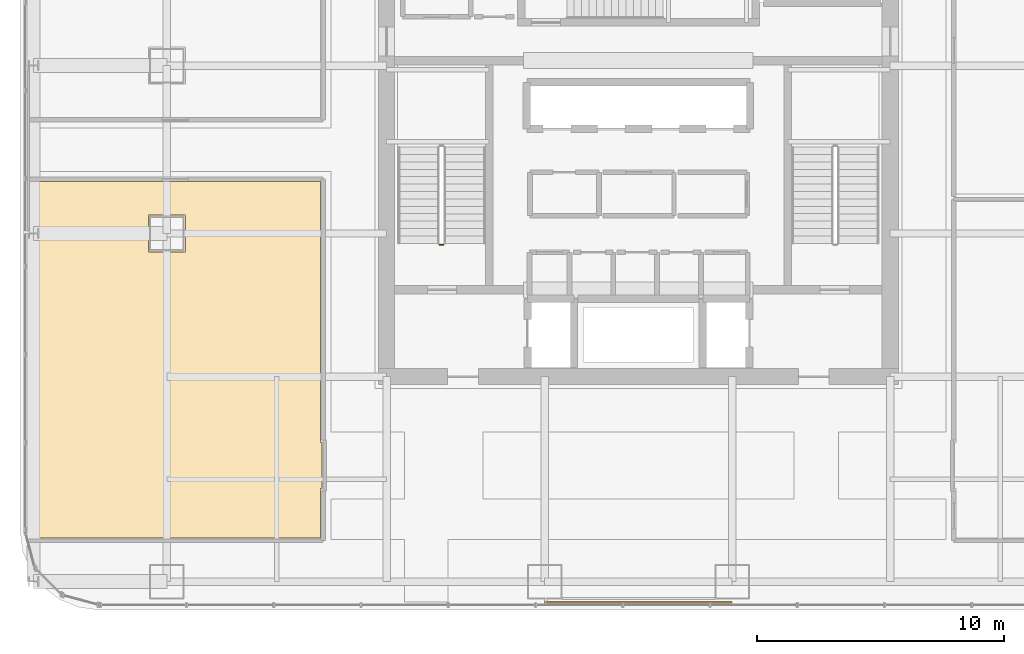
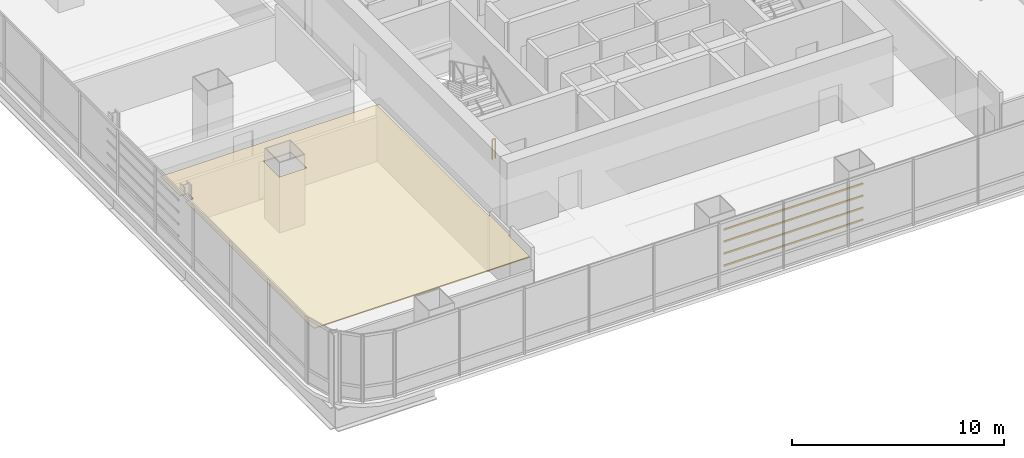
# One storey, part 34 of 38: 4 shading devices, 1 covering, 1 railing.
"""IFC4 building model written with IfcOpenShell, lengths in metres."""

from ifc_helpers import new_model, si_unit, direction, frame, origin, origin_2d, place, context, subcontext, project, spatial, polyline, hollow_rectangle, circle, outline, extrude, material, layer, layer_set, material_profile, profile_set, type_object, element, save


model = new_model("IFC4")

# Units and contexts
model_context = context("Model", 3, precision=1e-05, world=origin(), true_north=direction((0.0, 1.0)))
body_context = subcontext(model_context, "Body", "Model", "MODEL_VIEW")
ifc_project = project(units=[si_unit("LENGTHUNIT", "METRE"), si_unit("AREAUNIT", "SQUARE_METRE"), si_unit("VOLUMEUNIT", "CUBIC_METRE"), si_unit("PLANEANGLEUNIT", "RADIAN"), si_unit("MASSUNIT", "GRAM", prefix="KILO")], contexts=[model_context])

# Site, building, storey
site_placement = place(None, origin())
site = spatial("IfcSite", under=ifc_project, at=site_placement, CompositionType="ELEMENT")
building_placement = place(site_placement, origin())
building = spatial("IfcBuilding", under=site, at=building_placement, Name="Punatoya Terracotta Tower", CompositionType="ELEMENT")
storey_placement = place(building_placement, frame((0.0, 0.0, 147.89990234375)))
storey = spatial("IfcBuildingStorey", under=building, at=storey_placement, Name="L34", CompositionType="ELEMENT", Elevation=147.89990234375)

# Covering
ifc_material_1 = material(Name="Acoustic Mineral Fibre Ceiling")
ifc_layer = layer(ifc_material_1, 0.06005859375)
ifc_layer_set = layer_set([ifc_layer], Name="Acoustic Mineral Fibre Ceiling")
covering_type = type_object("IfcCoveringType", Name="COV-CEIL-60", PredefinedType="CEILING", material=ifc_layer_set)
covering_placement = place(storey_placement, frame((0.0, 0.0, 3.22021484375)))
element("IfcCovering", 1, at=covering_placement, inside=storey, type_object=covering_type, Name="L34 Cartography Reference Library Acoustic Ceiling", PredefinedType="CEILING", context=body_context, shape_type="SweptSolid", body=[
    extrude(outline(polyline([(-24.24560546875, -3.66259765625), (-24.669921875, -3.66259765625), (-24.669921875, -15.425048828125), (-24.628662109375, -15.739990234375), (-12.8701171875, -15.739990234375), (-12.8701171875, -13.72998046875), (-12.81005859375, -13.72998046875), (-12.81005859375, -11.8701171875), (-12.8701171875, -11.8701171875), (-12.8701171875, -1.300048828125), (-24.669921875, -1.300048828125), (-24.669921875, -3.137451171875), (-24.24560546875, -3.137451171875), (-24.24560546875, -3.66259765625)]), holes=[polyline([(-18.35009765625, -4.14990234375), (-19.85009765625, -4.14990234375), (-19.85009765625, -2.64990234375), (-18.35009765625, -2.64990234375), (-18.35009765625, -4.14990234375)])]), origin(), (0.0, 0.0, 1.0), 0.059814453125),
])

# Railing
ifc_material_2 = material(Name="Steel S355", Category="steel")
railing_type = type_object("IfcRailingType", Name="RLG-GRD-1150", PredefinedType="GUARDRAIL", material=ifc_material_2)
railing_placement = place(storey_placement, frame((-7.89990234375, -3.85009765625, 0.0)))
element("IfcRailing", 2, at=railing_placement, inside=storey, type_object=railing_type, Name="L34 ST-1 stair guard 4", PredefinedType="GUARDRAIL", context=body_context, shape_type="SweptSolid", body=[
    extrude(circle(Radius=0.02392578125, at=origin_2d()), frame((0.0, 0.0, 1.1259765625), z_axis=(-1.0, 0.0, 0.0), x_axis=(0.0, -1.0, 0.0)), (0.0, 0.0, 1.0), 0.150146484375),
    extrude(circle(Radius=0.02099609375, at=origin_2d()), origin(), (0.0, 0.0, 1.0), 1.101806640625),
    extrude(circle(Radius=0.02099609375, at=origin_2d()), frame((-0.150146484375, 0.0, 0.0)), (0.0, 0.0, 1.0), 1.101806640625),
])

# Shading devices
ifc_material_3 = material(Name="Architectural Fired Terracotta", Category="masonry")
ifc_material_profile = material_profile(ifc_material_3, hollow_rectangle(XDim=0.06005859375, YDim=0.090087890625, WallThickness=0.013916015625, at=origin_2d()))
ifc_profile_set = profile_set([ifc_material_profile], Name="Architectural Fired Terracotta")
shading_device_type = type_object("IfcShadingDeviceType", Name="SHD-JALI-90", PredefinedType="JALOUSIE", material=ifc_profile_set)
for number, where, z_axis, x_axis, name in (
    (3, (-3.800048828125, -18.340087890625, 1.150146484375), (1.0, 0.0, 0.0), (0.0, 1.0, 0.0), "L34 Fired Terracotta Baguette Louvre BAG-L34-S-01"),
    (4, (-3.800048828125, -18.340087890625, 1.843505859375), (1.0, 0.0, 0.0), (0.0, 1.0, 0.0), "L34 Fired Terracotta Baguette Louvre BAG-L34-S-02"),
    (5, (-3.800048828125, -18.340087890625, 2.536865234375), (1.0, 0.0, 0.0), (0.0, 1.0, 0.0), "L34 Fired Terracotta Baguette Louvre BAG-L34-S-03"),
    (6, (-3.800048828125, -18.340087890625, 3.22998046875), (1.0, 0.0, 0.0), (0.0, 1.0, 0.0), "L34 Fired Terracotta Baguette Louvre BAG-L34-S-04"),
):
    element("IfcShadingDevice", number, at=place(storey_placement, frame(where, z_axis=z_axis, x_axis=x_axis)), inside=storey, type_object=shading_device_type, Name=name, PredefinedType="JALOUSIE", context=body_context, shape_type="SweptSolid", body=[
        extrude(hollow_rectangle(XDim=0.06005859375, YDim=0.090087890625, WallThickness=0.013916015625, at=origin_2d()), origin(), (0.0, 0.0, 1.0), 7.60009765625),
    ])

save(model, "model.ifc")
